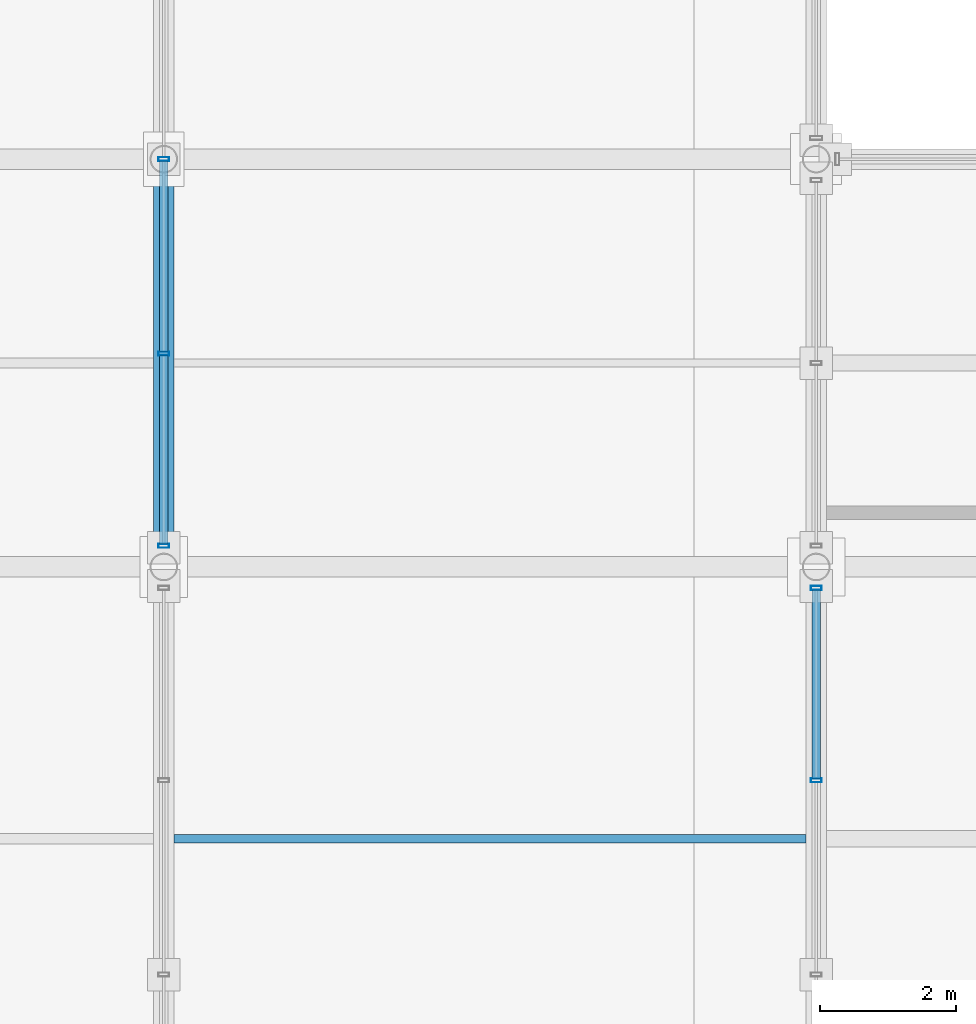
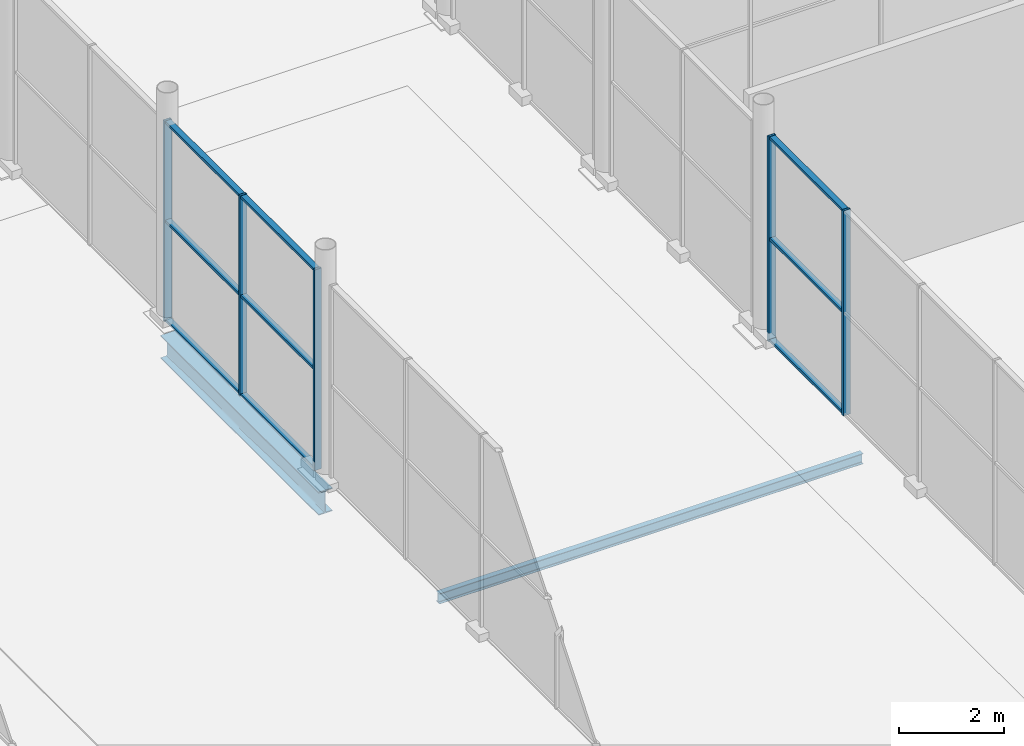
# One storey, part 75 of 196: 14 members, 2 beams, 2 elements without a shape of their own.
"""IFC4 building model written with IfcOpenShell, lengths in metres."""

import ifcopenshell
import ifcopenshell.guid

model = None  # the IFC model being written
_history = None  # IfcOwnerHistory: only IFC2X3 demands one
_inside = {}  # id of a spatial element -> (the spatial element, [elements in it])
_under = {}  # id of a project, library or spatial element -> (it, [spatial elements below it])
_declared = {}  # id of a project -> (the project, [libraries it declares])
_typed = {}  # id of a type object -> (the type object, [elements of that type])
_made_of = {}  # id of a material, layer set ... -> (it, [elements and type objects made of it])


def new_model(schema):
    """Start an empty IFC model of exactly this schema.

    Asked for "IFC4X3", IfcOpenShell would pick the latest addendum, in which some entities
    have other attributes; the version numbers below select the first issue.
    IFC2X3 requires an IfcOwnerHistory on every rooted entity: one is made here for all.
    """
    global model, _history
    if schema == "IFC4X3":
        model = ifcopenshell.file(schema_version=(4, 3, 0, 0))
    else:
        model = ifcopenshell.file(schema=schema)
    _inside.clear()
    _under.clear()
    _declared.clear()
    _typed.clear()
    _made_of.clear()
    _history = None
    if model.schema == "IFC2X3":
        org = make("IfcOrganization", Name="unknown")
        user = make(
            "IfcPersonAndOrganization",
            ThePerson=make("IfcPerson", FamilyName="unknown"),
            TheOrganization=org,
        )
        app = make(
            "IfcApplication",
            ApplicationDeveloper=org,
            Version="unknown",
            ApplicationFullName="unknown",
            ApplicationIdentifier="unknown",
        )
        _history = make(
            "IfcOwnerHistory",
            OwningUser=user,
            OwningApplication=app,
            ChangeAction="ADDED",
            CreationDate=0,
        )
    return model


def make(cls, **values):
    """One entity of the class cls with the attributes given. An attribute that is None is left unset."""
    return model.create_entity(
        cls, **{name: value for name, value in values.items() if value is not None}
    )


def rooted(cls, **values):
    """An entity with a GlobalId (a new one), such as an element, a storey or a relation."""
    return make(cls, GlobalId=ifcopenshell.guid.new(), OwnerHistory=_history, **values)


def si_unit(unit_type, name, prefix=None):
    """IfcSIUnit, for example si_unit("LENGTHUNIT", "METRE", prefix="MILLI")."""
    return make("IfcSIUnit", UnitType=unit_type, Prefix=prefix, Name=name)


def assignment(units):
    """IfcUnitAssignment: the units of a project."""
    return None if units is None else make("IfcUnitAssignment", Units=units)


def point(xyz):
    """IfcCartesianPoint."""
    return None if xyz is None else make("IfcCartesianPoint", Coordinates=xyz)


def direction(xyz):
    """IfcDirection."""
    return None if xyz is None else make("IfcDirection", DirectionRatios=xyz)


def frame(location, z_axis=None, x_axis=None):
    """IfcAxis2Placement3D, a coordinate frame: its origin and axes. An axis left out is left unset."""
    return make(
        "IfcAxis2Placement3D",
        Location=point(location),
        Axis=direction(z_axis),
        RefDirection=direction(x_axis),
    )


def frame_2d(location, x_axis=None):
    """IfcAxis2Placement2D, a coordinate frame in the plane: its origin and x axis."""
    return make(
        "IfcAxis2Placement2D", Location=point(location), RefDirection=direction(x_axis)
    )


def origin():
    """The frame at (0, 0, 0) with its axes left unset."""
    return frame((0.0, 0.0, 0.0))


def origin_2d():
    """The frame at (0, 0) in the plane with its x axis left unset."""
    return frame_2d((0.0, 0.0))


def place(relative_to, where):
    """IfcLocalPlacement: puts the frame where relative to a parent placement (None: the world)."""
    return make(
        "IfcLocalPlacement", PlacementRelTo=relative_to, RelativePlacement=where
    )


def context(
    kind, dimensions, precision=None, world=None, true_north=None, identifier=None
):
    """IfcGeometricRepresentationContext, for example the 3D "Model" context."""
    return make(
        "IfcGeometricRepresentationContext",
        ContextIdentifier=identifier,
        ContextType=kind,
        CoordinateSpaceDimension=dimensions,
        Precision=precision,
        WorldCoordinateSystem=world,
        TrueNorth=true_north,
    )


def subcontext(parent, identifier, kind, view, scale=None):
    """IfcGeometricRepresentationSubContext, for example "Body" below "Model"."""
    return make(
        "IfcGeometricRepresentationSubContext",
        ContextIdentifier=identifier,
        ContextType=kind,
        ParentContext=parent,
        TargetScale=scale,
        TargetView=view,
    )


def project(units=None, contexts=None):
    """IfcProject with its units and contexts."""
    return rooted(
        "IfcProject",
        Name="project",
        RepresentationContexts=contexts,
        UnitsInContext=assignment(units),
    )


def spatial(cls, under=None, at=None, **own):
    """A site, building, storey or space (cls), placed at a placement, below another one or the project."""
    s = rooted(cls, ObjectPlacement=at, **own)
    if under is not None:
        _under.setdefault(under.id(), (under, []))[1].append(s)
    return s


def profile(cls, at=None, kind="AREA", **sizes):
    """A parametric profile (cls). Its sizes go by their IFC names, for example OverallWidth=200.0."""
    return make(cls, ProfileType=kind, Position=at, **sizes)


def hollow_rectangle(**sizes):
    """IfcRectangleHollowProfileDef."""
    return profile("IfcRectangleHollowProfileDef", **sizes)


def i_section(**sizes):
    """IfcIShapeProfileDef."""
    return profile("IfcIShapeProfileDef", **sizes)


def extrude(swept, where, along, depth):
    """IfcExtrudedAreaSolid: the profile swept, set in the frame where, extruded along a direction by depth."""
    return make(
        "IfcExtrudedAreaSolid",
        SweptArea=swept,
        Position=where,
        ExtrudedDirection=direction(along),
        Depth=depth,
    )


def shape(context_of_items, identifier, shape_type, items):
    """IfcShapeRepresentation: the items that make up one representation, for example the "Body"."""
    return make(
        "IfcShapeRepresentation",
        ContextOfItems=context_of_items,
        RepresentationIdentifier=identifier,
        RepresentationType=shape_type,
        Items=items,
    )


def material(Name=None, Category=None):
    """IfcMaterial."""
    return make("IfcMaterial", Name=Name, Category=Category)


def material_profile(
    of_material, cross_section, Name=None, Category=None, Priority=None
):
    """IfcMaterialProfile: a cross section and its material."""
    return make(
        "IfcMaterialProfile",
        Name=Name,
        Material=of_material,
        Profile=cross_section,
        Priority=Priority,
        Category=Category,
    )


def profile_set(profiles, Name=None, composite=None):
    """IfcMaterialProfileSet."""
    return make(
        "IfcMaterialProfileSet",
        Name=Name,
        MaterialProfiles=profiles,
        CompositeProfile=composite,
    )


def made_of(thing, what):
    """Note that an element or type object is made of a material, layer set ...; save() writes the relation."""
    if what is not None:
        _made_of.setdefault(what.id(), (what, []))[1].append(thing)
    return thing


def type_object(cls, material=None, **own):
    """A type object (cls), such as IfcWallType, which elements share."""
    return made_of(rooted(cls, **own), material)


def element(
    cls,
    number,
    at=None,
    inside=None,
    cuts=None,
    type_object=None,
    material=None,
    context=None,
    identifier="Body",
    shape_type=None,
    held_by="IfcProductDefinitionShape",
    body=None,
    shapes=None,
    **own,
):
    """One element of the class cls, such as IfcWall. Its Tag is "e" and its number.

    at: its placement. inside: the storey or other place that contains it. cuts: it is an
    opening in that element (IfcRelVoidsElement). A single representation is given by context,
    identifier, shape_type and body (its items); several are given by shapes. held_by: the class
    of the entity that holds the representations. save() writes the other relations.
    """
    e = rooted(cls, Tag="e%d" % number, ObjectPlacement=at, **own)
    if body is not None:
        shapes = [shape(context, identifier, shape_type, body)]
    if shapes is not None:
        e.Representation = make(held_by, Representations=shapes)
    if inside is not None:
        _inside.setdefault(inside.id(), (inside, []))[1].append(e)
    if cuts is not None:
        rooted(
            "IfcRelVoidsElement", RelatingBuildingElement=cuts, RelatedOpeningElement=e
        )
    if type_object is not None:
        _typed.setdefault(type_object.id(), (type_object, []))[1].append(e)
    return made_of(e, material)


def aggregate(whole, parts):
    """IfcRelAggregates: a whole, such as a stair, and the parts it consists of."""
    return rooted("IfcRelAggregates", RelatingObject=whole, RelatedObjects=parts)


def save(model, path):
    """Write the relations noted so far, then the file.

    IfcRelAggregates (storeys below a building ...), IfcRelContainedInSpatialStructure (elements
    in a storey), IfcRelDefinesByType, IfcRelAssociatesMaterial and IfcRelDeclares: one each for
    every whole, place, type object, material and project.
    """
    for whole, parts in _under.values():
        aggregate(whole, parts)
    for where, things in _inside.values():
        rooted(
            "IfcRelContainedInSpatialStructure",
            RelatedElements=things,
            RelatingStructure=where,
        )
    for kind, things in _typed.values():
        rooted("IfcRelDefinesByType", RelatedObjects=things, RelatingType=kind)
    for what, things in _made_of.values():
        rooted("IfcRelAssociatesMaterial", RelatedObjects=things, RelatingMaterial=what)
    for by, libraries in _declared.values():
        rooted("IfcRelDeclares", RelatingContext=by, RelatedDefinitions=libraries)
    model.write(path)


model = new_model("IFC4")

# Units and contexts
model_context = context("Model", 3, precision=1e-05, world=origin(), true_north=direction((0.0, 1.0)))
body_context = subcontext(model_context, "Body", "Model", "MODEL_VIEW")
ifc_project = project(units=[si_unit("LENGTHUNIT", "METRE"), si_unit("AREAUNIT", "SQUARE_METRE"), si_unit("VOLUMEUNIT", "CUBIC_METRE"), si_unit("PLANEANGLEUNIT", "RADIAN"), si_unit("MASSUNIT", "GRAM", prefix="KILO")], contexts=[model_context])

# Site, building, storey
site_placement = place(None, origin())
site = spatial("IfcSite", under=ifc_project, at=site_placement, CompositionType="ELEMENT")
building_placement = place(site_placement, origin())
building = spatial("IfcBuilding", under=site, at=building_placement, Name="Merenkruunu Market Hall", CompositionType="ELEMENT")
storey_placement = place(building_placement, origin())
storey = spatial("IfcBuildingStorey", under=building, at=storey_placement, Name="L00", CompositionType="ELEMENT", Elevation=0.0)

# Curtain wall, members
ifc_material_1 = material(Name="Powder-coated aluminium", Category="aluminium")
curtain_wall_type_1 = type_object("IfcCurtainWallType", Name="Glazed Curtain Wall CW05", PredefinedType="USERDEFINED", material=ifc_material_1)
curtain_wall_1_placement = place(storey_placement, origin())
curtain_wall_1 = element("IfcCurtainWall", 1, at=curtain_wall_1_placement, inside=storey, type_object=curtain_wall_type_1, Name="CW-L00-CWM01-152", ObjectType="GLAZED_FACADE", PredefinedType="USERDEFINED")
ifc_material_profile_1 = material_profile(ifc_material_1, hollow_rectangle(XDim=0.06005859375, YDim=0.159912109375, WallThickness=0.00390625, at=origin_2d()), Name="ALU 60x160x4")
ifc_profile_set_1 = profile_set([ifc_material_profile_1], Name="Powder-coated aluminium")
member_type_1 = type_object("IfcMemberType", Name="Curtain Wall Mullion CWM01", PredefinedType="MULLION", material=ifc_profile_set_1)
member_1_placement = place(storey_placement, frame((76.800048828125, 36.4599609375, 0.0), z_axis=(0.0, 0.0, 1.0), x_axis=(0.0, 1.0, 0.0)))
member_1 = element("IfcMember", 2, at=member_1_placement, type_object=member_type_1, Name="CW05 mullion 4", PredefinedType="MULLION", context=body_context, shape_type="SweptSolid", body=[
    extrude(hollow_rectangle(XDim=0.06005859375, YDim=0.159912109375, WallThickness=0.00390625, at=origin_2d()), origin(), (0.0, 0.0, 1.0), 4.75),
])
member_2_placement = place(storey_placement, frame((76.800048828125, 39.2900390625, 0.0), z_axis=(0.0, 0.0, 1.0), x_axis=(0.0, 1.0, 0.0)))
member_2 = element("IfcMember", 3, at=member_2_placement, type_object=member_type_1, Name="CW05 mullion 5", PredefinedType="MULLION", context=body_context, shape_type="SweptSolid", body=[
    extrude(hollow_rectangle(XDim=0.06005859375, YDim=0.159912109375, WallThickness=0.00390625, at=origin_2d()), origin(), (0.0, 0.0, 1.0), 4.75),
])

curtain_wall_type_2 = type_object("IfcCurtainWallType", Name="Glazed Curtain Wall CW15", PredefinedType="USERDEFINED", material=ifc_material_1)
curtain_wall_2_placement = place(storey_placement, origin())
curtain_wall_2 = element("IfcCurtainWall", 4, at=curtain_wall_2_placement, inside=storey, type_object=curtain_wall_type_2, Name="CW-L00-CWM01-172", ObjectType="GLAZED_FACADE", PredefinedType="USERDEFINED")
member_3_placement = place(storey_placement, frame((67.199951171875, 39.909912109375, 0.0), z_axis=(0.0, 0.0, 1.0), x_axis=(0.0, 1.0, 0.0)))
member_3 = element("IfcMember", 5, at=member_3_placement, type_object=member_type_1, Name="CW15 mullion 1", PredefinedType="MULLION", context=body_context, shape_type="SweptSolid", body=[
    extrude(hollow_rectangle(XDim=0.06005859375, YDim=0.159912109375, WallThickness=0.00390625, at=origin_2d()), origin(), (0.0, 0.0, 1.0), 4.64990234375),
])
member_4_placement = place(storey_placement, frame((67.199951171875, 42.739990234375, 0.0), z_axis=(0.0, 0.0, 1.0), x_axis=(0.0, 1.0, 0.0)))
member_4 = element("IfcMember", 6, at=member_4_placement, type_object=member_type_1, Name="CW15 mullion 2", PredefinedType="MULLION", context=body_context, shape_type="SweptSolid", body=[
    extrude(hollow_rectangle(XDim=0.06005859375, YDim=0.159912109375, WallThickness=0.00390625, at=origin_2d()), origin(), (0.0, 0.0, 1.0), 4.64990234375),
])
member_5_placement = place(storey_placement, frame((67.199951171875, 45.60009765625, 0.0), z_axis=(0.0, 0.0, 1.0), x_axis=(0.0, 1.0, 0.0)))
member_5 = element("IfcMember", 7, at=member_5_placement, type_object=member_type_1, Name="CW15 mullion 3", PredefinedType="MULLION", context=body_context, shape_type="SweptSolid", body=[
    extrude(hollow_rectangle(XDim=0.06005859375, YDim=0.159912109375, WallThickness=0.00390625, at=origin_2d()), origin(), (0.0, 0.0, 1.0), 4.64990234375),
])

# Member
ifc_material_profile_2 = material_profile(ifc_material_1, hollow_rectangle(XDim=0.06005859375, YDim=0.125, WallThickness=0.00390625, at=origin_2d()), Name="ALU 60x125x4")
ifc_profile_set_2 = profile_set([ifc_material_profile_2], Name="Powder-coated aluminium")
member_type_2 = type_object("IfcMemberType", Name="Curtain Wall Transom CWT01", PredefinedType="USERDEFINED", material=ifc_profile_set_2)
member_6_placement = place(storey_placement, frame((76.800048828125, 36.489990234375, 0.030029296875), z_axis=(0.0, 1.0, 0.0), x_axis=(0.0, 0.0, 1.0)))
member_6 = element("IfcMember", 8, at=member_6_placement, type_object=member_type_2, Name="CW05 transom 4.1", ObjectType="TRANSOM", PredefinedType="USERDEFINED", context=body_context, shape_type="SweptSolid", body=[
    extrude(hollow_rectangle(XDim=0.06005859375, YDim=0.125, WallThickness=0.00390625, at=origin_2d()), origin(), (0.0, 0.0, 1.0), 2.77001953125),
])

member_7_placement = place(storey_placement, frame((76.800048828125, 36.489990234375, 2.375), z_axis=(0.0, 1.0, 0.0), x_axis=(0.0, 0.0, 1.0)))
member_7 = element("IfcMember", 9, at=member_7_placement, type_object=member_type_2, Name="CW05 transom 4.2", ObjectType="TRANSOM", PredefinedType="USERDEFINED", context=body_context, shape_type="SweptSolid", body=[
    extrude(hollow_rectangle(XDim=0.06005859375, YDim=0.125, WallThickness=0.00390625, at=origin_2d()), origin(), (0.0, 0.0, 1.0), 2.77001953125),
])

member_8_placement = place(storey_placement, frame((76.800048828125, 36.489990234375, 4.719970703125), z_axis=(0.0, 1.0, 0.0), x_axis=(0.0, 0.0, 1.0)))
member_8 = element("IfcMember", 10, at=member_8_placement, type_object=member_type_2, Name="CW05 transom 4.3", ObjectType="TRANSOM", PredefinedType="USERDEFINED", context=body_context, shape_type="SweptSolid", body=[
    extrude(hollow_rectangle(XDim=0.06005859375, YDim=0.125, WallThickness=0.00390625, at=origin_2d()), origin(), (0.0, 0.0, 1.0), 2.77001953125),
])

aggregate(curtain_wall_1, [member_1, member_2, member_6, member_7, member_8])

member_9_placement = place(storey_placement, frame((67.199951171875, 39.93994140625, 0.030029296875), z_axis=(0.0, 1.0, 0.0), x_axis=(0.0, 0.0, 1.0)))
member_9 = element("IfcMember", 11, at=member_9_placement, type_object=member_type_2, Name="CW15 transom 1.1", ObjectType="TRANSOM", PredefinedType="USERDEFINED", context=body_context, shape_type="SweptSolid", body=[
    extrude(hollow_rectangle(XDim=0.06005859375, YDim=0.125, WallThickness=0.00390625, at=origin_2d()), origin(), (0.0, 0.0, 1.0), 2.77001953125),
])

member_10_placement = place(storey_placement, frame((67.199951171875, 39.93994140625, 2.324951171875), z_axis=(0.0, 1.0, 0.0), x_axis=(0.0, 0.0, 1.0)))
member_10 = element("IfcMember", 12, at=member_10_placement, type_object=member_type_2, Name="CW15 transom 1.2", ObjectType="TRANSOM", PredefinedType="USERDEFINED", context=body_context, shape_type="SweptSolid", body=[
    extrude(hollow_rectangle(XDim=0.06005859375, YDim=0.125, WallThickness=0.00390625, at=origin_2d()), origin(), (0.0, 0.0, 1.0), 2.77001953125),
])

member_11_placement = place(storey_placement, frame((67.199951171875, 39.93994140625, 4.6201171875), z_axis=(0.0, 1.0, 0.0), x_axis=(0.0, 0.0, 1.0)))
member_11 = element("IfcMember", 13, at=member_11_placement, type_object=member_type_2, Name="CW15 transom 1.3", ObjectType="TRANSOM", PredefinedType="USERDEFINED", context=body_context, shape_type="SweptSolid", body=[
    extrude(hollow_rectangle(XDim=0.06005859375, YDim=0.125, WallThickness=0.00390625, at=origin_2d()), origin(), (0.0, 0.0, 1.0), 2.77001953125),
])

member_12_placement = place(storey_placement, frame((67.199951171875, 42.77001953125, 0.030029296875), z_axis=(0.0, 1.0, 0.0), x_axis=(0.0, 0.0, 1.0)))
member_12 = element("IfcMember", 14, at=member_12_placement, type_object=member_type_2, Name="CW15 transom 2.1", ObjectType="TRANSOM", PredefinedType="USERDEFINED", context=body_context, shape_type="SweptSolid", body=[
    extrude(hollow_rectangle(XDim=0.06005859375, YDim=0.125, WallThickness=0.00390625, at=origin_2d()), origin(), (0.0, 0.0, 1.0), 2.800048828125),
])

member_13_placement = place(storey_placement, frame((67.199951171875, 42.77001953125, 2.324951171875), z_axis=(0.0, 1.0, 0.0), x_axis=(0.0, 0.0, 1.0)))
member_13 = element("IfcMember", 15, at=member_13_placement, type_object=member_type_2, Name="CW15 transom 2.2", ObjectType="TRANSOM", PredefinedType="USERDEFINED", context=body_context, shape_type="SweptSolid", body=[
    extrude(hollow_rectangle(XDim=0.06005859375, YDim=0.125, WallThickness=0.00390625, at=origin_2d()), origin(), (0.0, 0.0, 1.0), 2.800048828125),
])

member_14_placement = place(storey_placement, frame((67.199951171875, 42.77001953125, 4.6201171875), z_axis=(0.0, 1.0, 0.0), x_axis=(0.0, 0.0, 1.0)))
member_14 = element("IfcMember", 16, at=member_14_placement, type_object=member_type_2, Name="CW15 transom 2.3", ObjectType="TRANSOM", PredefinedType="USERDEFINED", context=body_context, shape_type="SweptSolid", body=[
    extrude(hollow_rectangle(XDim=0.06005859375, YDim=0.125, WallThickness=0.00390625, at=origin_2d()), origin(), (0.0, 0.0, 1.0), 2.800048828125),
])

aggregate(curtain_wall_2, [member_3, member_4, member_5, member_9, member_10, member_11, member_12, member_13, member_14])

# Beams
ifc_material_2 = material(Name="Steel S355J2", Category="steel")
ifc_material_profile_3 = material_profile(ifc_material_2, i_section(OverallWidth=0.300048828125, OverallDepth=0.5400390625, WebThickness=0.012451171875, FlangeThickness=0.02392578125, FilletRadius=0.027099609375, at=origin_2d()), Name="HEA 550")
ifc_profile_set_3 = profile_set([ifc_material_profile_3], Name="Steel S355J2")
beam_type_1 = type_object("IfcBeamType", Name="Primary Floor Girder B06", PredefinedType="BEAM", material=ifc_profile_set_3)
beam_1_placement = place(storey_placement, frame((67.199951171875, 39.60009765625, -0.570068359375), z_axis=(0.0, 1.0, 0.0), x_axis=(-1.0, 0.0, 0.0)))
element("IfcBeam", 17, at=beam_1_placement, inside=storey, type_object=beam_type_1, Name="BM-L00-B06-0196", PredefinedType="BEAM", context=body_context, shape_type="SweptSolid", body=[
    extrude(i_section(OverallWidth=0.300048828125, OverallDepth=0.5400390625, WebThickness=0.012451171875, FlangeThickness=0.02392578125, FilletRadius=0.027099609375, at=origin_2d()), origin(), (0.0, 0.0, 1.0), 6.0),
])
ifc_material_profile_4 = material_profile(ifc_material_2, i_section(OverallWidth=0.1201171875, OverallDepth=0.239990234375, WebThickness=0.006103515625, FlangeThickness=0.009765625, FilletRadius=0.014892578125, at=origin_2d()), Name="IPE 240")
ifc_profile_set_4 = profile_set([ifc_material_profile_4], Name="Steel S355J2")
beam_type_2 = type_object("IfcBeamType", Name="Secondary Floor Joist J05", PredefinedType="JOIST", material=ifc_profile_set_4)
beam_2_placement = place(storey_placement, frame((67.35302734375, 35.60009765625, -0.419921875), z_axis=(1.0, 0.0, 0.0), x_axis=(0.0, 1.0, 0.0)))
element("IfcBeam", 18, at=beam_2_placement, inside=storey, type_object=beam_type_2, Name="BM-L00-J05-0363", PredefinedType="JOIST", context=body_context, shape_type="SweptSolid", body=[
    extrude(i_section(OverallWidth=0.1201171875, OverallDepth=0.239990234375, WebThickness=0.006103515625, FlangeThickness=0.009765625, FilletRadius=0.014892578125, at=origin_2d()), origin(), (0.0, 0.0, 1.0), 9.2939453125),
])

save(model, "model.ifc")
